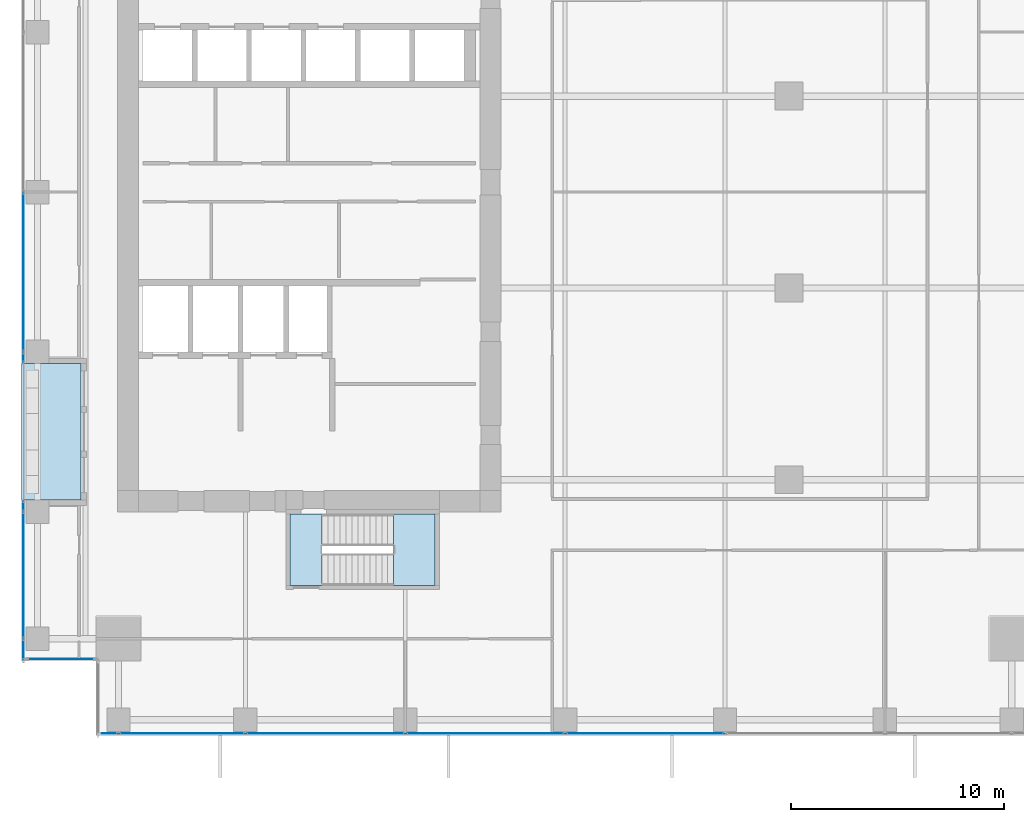
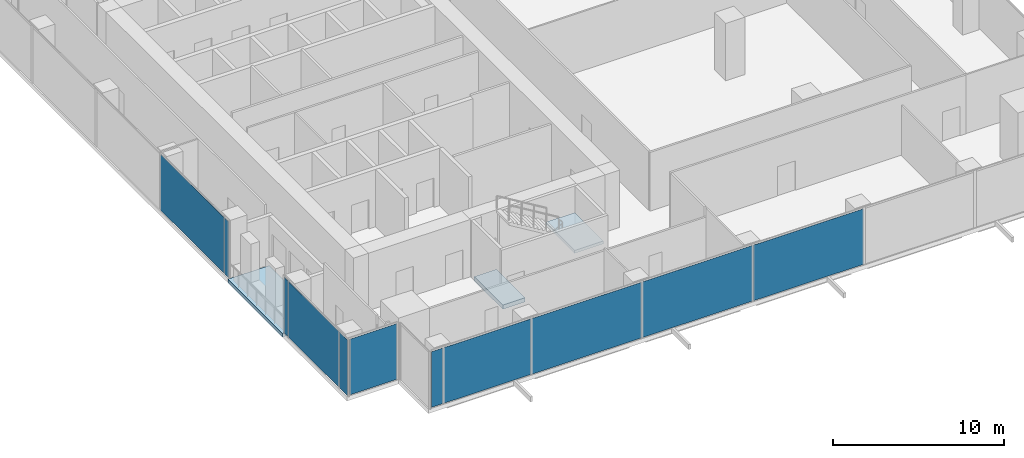
# One storey, part 23 of 34: 11 plates, 3 slabs, 5 elements without a shape of their own.
"""IFC4 building model written with IfcOpenShell, lengths in metres."""

from ifc_helpers import new_model, si_unit, direction, frame, origin, origin_2d, place, context, subcontext, project, spatial, polyline, rectangle, outline, extrude, source, transform, mapped, material, layer, layer_set, type_object, element, aggregate, save


model = new_model("IFC4")

# Units and contexts
model_context = context("Model", 3, precision=1e-05, world=origin(), true_north=direction((0.0, 1.0)))
body_context = subcontext(model_context, "Body", "Model", "MODEL_VIEW")
ifc_project = project(units=[si_unit("LENGTHUNIT", "METRE"), si_unit("AREAUNIT", "SQUARE_METRE"), si_unit("VOLUMEUNIT", "CUBIC_METRE"), si_unit("PLANEANGLEUNIT", "RADIAN"), si_unit("MASSUNIT", "GRAM", prefix="KILO")], contexts=[model_context])

# Site, building, storey
site_placement = place(None, origin())
site = spatial("IfcSite", under=ifc_project, at=site_placement, CompositionType="ELEMENT")
building_placement = place(site_placement, origin())
building = spatial("IfcBuilding", under=site, at=building_placement, Name="Khomas Fold Tower", CompositionType="ELEMENT")
storey_placement = place(building_placement, frame((0.0, 0.0, 123.5)))
storey = spatial("IfcBuildingStorey", under=building, at=storey_placement, Name="L26", CompositionType="ELEMENT", Elevation=123.5)

# Curtain wall, plates
ifc_material_1 = material(Name="Aluminium framed double glazing", Category="aluminium")
curtain_wall_type = type_object("IfcCurtainWallType", Name="SK-Unitised clear-glass wall, growing floors CW1", PredefinedType="NOTDEFINED", material=ifc_material_1)
curtain_wall_1_placement = place(storey_placement, origin())
curtain_wall_1 = element("IfcCurtainWall", 1, at=curtain_wall_1_placement, inside=storey, type_object=curtain_wall_type, Name="CW1 run L26 00-0", PredefinedType="NOTDEFINED")
ifc_material_2 = material(Name="Clear double glazed unit")
ifc_layer_1 = layer(ifc_material_2, 0.031982421875)
ifc_layer_set_1 = layer_set([ifc_layer_1], Name="Clear double glazed unit")
plate_type = type_object("IfcPlateType", Name="SK-Unitised clear-glass wall, growing floors glass panel CW1-P", PredefinedType="CURTAIN_PANEL", material=ifc_layer_set_1)
shared_shape_1 = source(origin(), body_context, "Body", "SweptSolid", [
    extrude(rectangle(XDim=0.760009765625, YDim=0.031982421875, at=origin_2d()), origin(), (0.0, 0.0, 1.0), 3.97998046875),
])
plate_1_placement = place(storey_placement, frame((5.639892578125, 1.60009765625, 0.0), z_axis=(0.0, 0.0, 1.0), x_axis=(1.0, 0.0, 0.0)))
plate_1 = element("IfcPlate", 2, at=plate_1_placement, type_object=plate_type, Name="CW1 glass panel 1", PredefinedType="CURTAIN_PANEL", context=body_context, shape_type="MappedRepresentation", body=[
    mapped(shared_shape_1, transform((0.0, 0.0, 0.0))),
])
shared_shape_2 = source(origin(), body_context, "Body", "SweptSolid", [
    extrude(rectangle(XDim=5.889892578125, YDim=0.031982421875, at=origin_2d()), origin(), (0.0, 0.0, 1.0), 3.97998046875),
])
plate_2_placement = place(storey_placement, frame((9.02490234375, 1.60009765625, 0.0), z_axis=(0.0, 0.0, 1.0), x_axis=(1.0, 0.0, 0.0)))
plate_2 = element("IfcPlate", 3, at=plate_2_placement, type_object=plate_type, Name="CW1 glass panel 2", PredefinedType="CURTAIN_PANEL", context=body_context, shape_type="MappedRepresentation", body=[
    mapped(shared_shape_2, transform((0.0, 0.0, 0.0))),
])

# Curtain wall, plate
curtain_wall_2_placement = place(storey_placement, origin())
curtain_wall_2 = element("IfcCurtainWall", 4, at=curtain_wall_2_placement, inside=storey, type_object=curtain_wall_type, Name="CW1 run L26 09-1", PredefinedType="NOTDEFINED")
plate_3_placement = place(storey_placement, frame((1.60009765625, 9.02490234375, 0.0), z_axis=(0.0, 0.0, 1.0), x_axis=(0.0, -1.0, 0.0)))
plate_3 = element("IfcPlate", 5, at=plate_3_placement, type_object=plate_type, Name="CW1 glass panel 2", PredefinedType="CURTAIN_PANEL", context=body_context, shape_type="MappedRepresentation", body=[
    mapped(shared_shape_2, transform((0.0, 0.0, 0.0))),
])

# Plate
shared_shape_3 = source(origin(), body_context, "Body", "SweptSolid", [
    extrude(rectangle(XDim=7.43994140625, YDim=0.031982421875, at=origin_2d()), origin(), (0.0, 0.0, 1.0), 3.97998046875),
])
plate_4_placement = place(storey_placement, frame((15.75, 1.60009765625, 0.0), z_axis=(0.0, 0.0, 1.0), x_axis=(1.0, 0.0, 0.0)))
plate_4 = element("IfcPlate", 6, at=plate_4_placement, type_object=plate_type, Name="CW1 glass panel 3", PredefinedType="CURTAIN_PANEL", context=body_context, shape_type="MappedRepresentation", body=[
    mapped(shared_shape_3, transform((0.0, 0.0, 0.0))),
])

plate_5_placement = place(storey_placement, frame((23.25, 1.60009765625, 0.0), z_axis=(0.0, 0.0, 1.0), x_axis=(1.0, 0.0, 0.0)))
plate_5 = element("IfcPlate", 7, at=plate_5_placement, type_object=plate_type, Name="CW1 glass panel 4", PredefinedType="CURTAIN_PANEL", context=body_context, shape_type="MappedRepresentation", body=[
    mapped(shared_shape_3, transform((0.0, 0.0, 0.0))),
])

plate_6_placement = place(storey_placement, frame((30.75, 1.60009765625, 0.0), z_axis=(0.0, 0.0, 1.0), x_axis=(1.0, 0.0, 0.0)))
plate_6 = element("IfcPlate", 8, at=plate_6_placement, type_object=plate_type, Name="CW1 glass panel 5", PredefinedType="CURTAIN_PANEL", context=body_context, shape_type="MappedRepresentation", body=[
    mapped(shared_shape_3, transform((0.0, 0.0, 0.0))),
])

aggregate(curtain_wall_1, [plate_1, plate_2, plate_4, plate_5, plate_6])

# Curtain wall, plate
curtain_wall_3_placement = place(storey_placement, origin())
curtain_wall_3 = element("IfcCurtainWall", 9, at=curtain_wall_3_placement, inside=storey, type_object=curtain_wall_type, Name="CW1 run L26 09-0", PredefinedType="NOTDEFINED")
plate_7_placement = place(storey_placement, frame((1.60009765625, 23.25, 0.0), z_axis=(0.0, 0.0, 1.0), x_axis=(0.0, -1.0, 0.0)))
plate_7 = element("IfcPlate", 10, at=plate_7_placement, type_object=plate_type, Name="CW1 glass panel 5", PredefinedType="CURTAIN_PANEL", context=body_context, shape_type="MappedRepresentation", body=[
    mapped(shared_shape_3, transform((0.0, 0.0, 0.0))),
])

# Plate
shared_shape_4 = source(origin(), body_context, "Body", "SweptSolid", [
    extrude(rectangle(XDim=0.9599609375, YDim=0.031982421875, at=origin_2d()), origin(), (0.0, 0.0, 1.0), 3.97998046875),
])
plate_8_placement = place(storey_placement, frame((1.60009765625, 5.5400390625, 0.0), z_axis=(0.0, 0.0, 1.0), x_axis=(0.0, -1.0, 0.0)))
plate_8 = element("IfcPlate", 11, at=plate_8_placement, type_object=plate_type, Name="CW1 glass panel 3", PredefinedType="CURTAIN_PANEL", context=body_context, shape_type="MappedRepresentation", body=[
    mapped(shared_shape_4, transform((0.0, 0.0, 0.0))),
])

# Curtain wall, plate
curtain_wall_4_placement = place(storey_placement, origin())
curtain_wall_4 = element("IfcCurtainWall", 12, at=curtain_wall_4_placement, inside=storey, type_object=curtain_wall_type, Name="CW1 corner return L26 10", PredefinedType="NOTDEFINED")
shared_shape_5 = source(origin(), body_context, "Body", "SweptSolid", [
    extrude(rectangle(XDim=3.179931640625, YDim=0.031982421875, at=origin_2d()), origin(), (0.0, 0.0, 1.0), 3.97998046875),
])
plate_9_placement = place(storey_placement, frame((3.35009765625, 5.10009765625, 0.0), z_axis=(0.0, 0.0, 1.0), x_axis=(1.0, 0.0, 0.0)))
plate_9 = element("IfcPlate", 13, at=plate_9_placement, type_object=plate_type, Name="CW1 glass panel 1", PredefinedType="CURTAIN_PANEL", context=body_context, shape_type="MappedRepresentation", body=[
    mapped(shared_shape_5, transform((0.0, 0.0, 0.0))),
])
aggregate(curtain_wall_4, [plate_9])

# Plate
shared_shape_6 = source(origin(), body_context, "Body", "SweptSolid", [
    extrude(rectangle(XDim=0.4599609375, YDim=0.031982421875, at=origin_2d()), origin(), (0.0, 0.0, 1.0), 3.97998046875),
])
plate_10_placement = place(storey_placement, frame((1.60009765625, 19.239990234375, 0.0), z_axis=(0.0, 0.0, 1.0), x_axis=(0.0, -1.0, 0.0)))
plate_10 = element("IfcPlate", 14, at=plate_10_placement, type_object=plate_type, Name="CW1 glass panel 6", PredefinedType="CURTAIN_PANEL", context=body_context, shape_type="MappedRepresentation", body=[
    mapped(shared_shape_6, transform((0.0, 0.0, 0.0))),
])

aggregate(curtain_wall_3, [plate_7, plate_10])

plate_11_placement = place(storey_placement, frame((1.60009765625, 12.260009765625, 0.0), z_axis=(0.0, 0.0, 1.0), x_axis=(0.0, -1.0, 0.0)))
plate_11 = element("IfcPlate", 15, at=plate_11_placement, type_object=plate_type, Name="CW1 glass panel 1", PredefinedType="CURTAIN_PANEL", context=body_context, shape_type="MappedRepresentation", body=[
    mapped(shared_shape_6, transform((0.0, 0.0, 0.0))),
])

aggregate(curtain_wall_2, [plate_11, plate_3, plate_8])

# Slab
ifc_material_3 = material(Name="Concrete C40/50", Category="concrete")
ifc_layer_2 = layer(ifc_material_3, 0.2548828125)
ifc_layer_set_2 = layer_set([ifc_layer_2], Name="Concrete C40/50")
slab_type_1 = type_object("IfcSlabType", Name="BL-Balcony deck 255", PredefinedType="FLOOR", material=ifc_layer_set_2)
shared_shape_7 = source(origin(), body_context, "Body", "SweptSolid", [
    extrude(outline(polyline([(1.5, 12.550048828125), (4.300048828125, 12.550048828125), (4.300048828125, 18.949951171875), (1.5, 18.949951171875), (1.5, 12.550048828125)])), origin(), (0.0, 0.0, 1.0), 0.255126953125),
])
slab_1_placement = place(storey_placement, frame((0.0, 0.0, -0.300048828125)))
element("IfcSlab", 16, at=slab_1_placement, inside=storey, type_object=slab_type_1, Name="Balcony deck BAL-L26-W1", PredefinedType="FLOOR", context=body_context, shape_type="MappedRepresentation", body=[
    mapped(shared_shape_7, transform((0.0, 0.0, 0.0))),
])

# Stair, slab
ifc_material_4 = material(Name="Concrete C40/50", Category="concrete")
stair_type = type_object("IfcStairType", Name="Stair ST2", PredefinedType="HALF_TURN_STAIR", material=ifc_material_4)
stair_placement = place(storey_placement, origin())
stair = element("IfcStair", 17, at=stair_placement, inside=storey, type_object=stair_type, Name="L26 ST2", PredefinedType="HALF_TURN_STAIR")
ifc_material_5 = material(Name="Concrete C40/50", Category="concrete")
ifc_layer_3 = layer(ifc_material_5, 0.199951171875)
ifc_layer_set_3 = layer_set([ifc_layer_3], Name="Concrete C40/50")
slab_type_2 = type_object("IfcSlabType", Name="Stair landing 200", PredefinedType="LANDING", material=ifc_layer_set_3)
shared_shape_8 = source(origin(), body_context, "Body", "SweptSolid", [
    extrude(outline(polyline([(18.9599609375, 8.550048828125), (20.89990234375, 8.550048828125), (20.89990234375, 11.89990234375), (18.9599609375, 11.89990234375), (18.9599609375, 8.550048828125)])), origin(), (0.0, 0.0, 1.0), 0.199951171875),
])
slab_2_placement = place(storey_placement, frame((0.0, 0.0, 2.0)))
slab_2 = element("IfcSlab", 18, at=slab_2_placement, type_object=slab_type_2, Name="ST2 landing 1", PredefinedType="LANDING", context=body_context, shape_type="MappedRepresentation", body=[
    mapped(shared_shape_8, transform((0.0, 0.0, 0.0))),
])
aggregate(stair, [slab_2])

# Slab
ifc_material_6 = material(Name="Concrete C40/50", Category="concrete")
ifc_layer_4 = layer(ifc_material_6, 0.300048828125)
ifc_layer_set_4 = layer_set([ifc_layer_4], Name="Concrete C40/50")
slab_type_3 = type_object("IfcSlabType", Name="Stair floor landing 300", PredefinedType="LANDING", material=ifc_layer_set_4)
shared_shape_9 = source(origin(), body_context, "Body", "SweptSolid", [
    extrude(outline(polyline([(15.60009765625, 8.550048828125), (14.10009765625, 8.550048828125), (14.10009765625, 11.89990234375), (15.60009765625, 11.89990234375), (15.60009765625, 8.550048828125)])), origin(), (0.0, 0.0, 1.0), 0.300048828125),
])
slab_3_placement = place(storey_placement, frame((0.0, 0.0, -0.300048828125)))
element("IfcSlab", 19, at=slab_3_placement, inside=storey, type_object=slab_type_3, Name="ST2 floor landing", PredefinedType="LANDING", context=body_context, shape_type="MappedRepresentation", body=[
    mapped(shared_shape_9, transform((0.0, 0.0, 0.0))),
])

save(model, "model.ifc")
